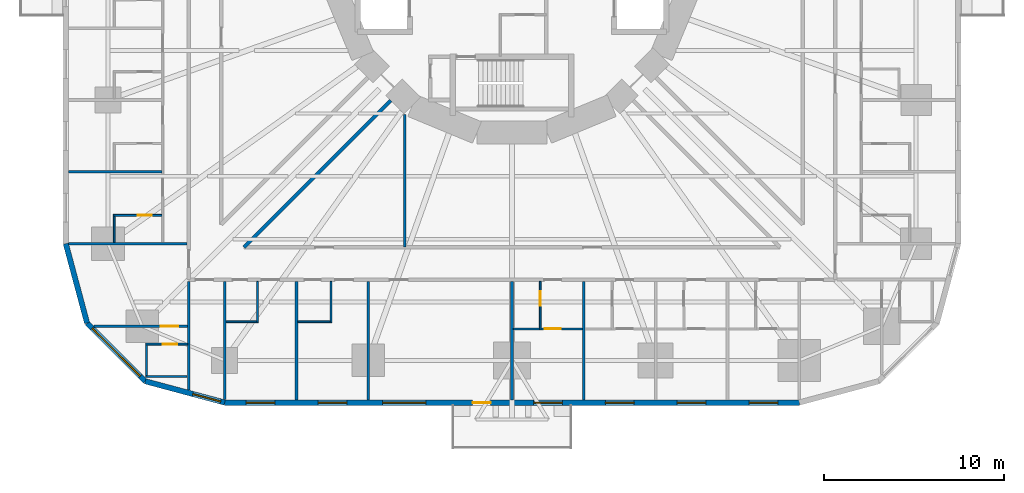
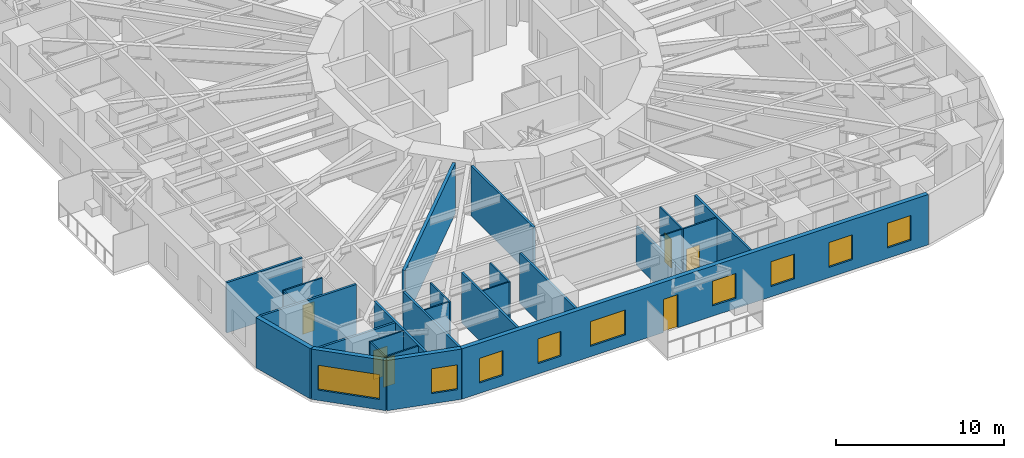
# One storey, part 4 of 14: 27 walls, 9 windows, 6 doors, 15 openings.
"""IFC4 building model written with IfcOpenShell, lengths in metres."""

from ifc_helpers import new_model, si_unit, direction, frame, frame_2d, origin, place, context, subcontext, project, spatial, rectangle, extrude, material, layer, layer_set, type_object, element, fill, save


model = new_model("IFC4")

# Units and contexts
model_context = context("Model", 3, precision=1e-05, world=origin(), true_north=direction((0.0, 1.0)))
body_context = subcontext(model_context, "Body", "Model", "MODEL_VIEW")
ifc_project = project(units=[si_unit("LENGTHUNIT", "METRE"), si_unit("AREAUNIT", "SQUARE_METRE"), si_unit("VOLUMEUNIT", "CUBIC_METRE"), si_unit("PLANEANGLEUNIT", "RADIAN"), si_unit("MASSUNIT", "GRAM", prefix="KILO")], contexts=[model_context])

# Site, building, storey
site_placement = place(None, origin())
site = spatial("IfcSite", under=ifc_project, at=site_placement, CompositionType="ELEMENT")
building_placement = place(site_placement, origin())
building = spatial("IfcBuilding", under=site, at=building_placement, Name="Nakasero Lantern House", CompositionType="ELEMENT")
storey_placement = place(building_placement, frame((0.0, 0.0, 27.550048828125)))
storey = spatial("IfcBuildingStorey", under=building, at=storey_placement, Name="L06", CompositionType="ELEMENT", Elevation=27.550048828125)

# Wall
ifc_material_1 = material(Name="Blockwork", Category="masonry")
ifc_layer_1 = layer(ifc_material_1, 0.199951171875)
ifc_layer_set_1 = layer_set([ifc_layer_1], Name="Corridor wall 200")
wall_type_1 = type_object("IfcWallType", Name="Corridor wall 200", PredefinedType="PARTITIONING", material=ifc_layer_set_1)
wall_1_placement = place(storey_placement, frame((-6.758544921875, -8.03125, 0.0), z_axis=(0.0, 0.0, 1.0), x_axis=(-0.707106781187, -0.707106781187, 0.0)))
element("IfcWall", 1, at=wall_1_placement, inside=storey, type_object=wall_type_1, Name="Corridor wall L06 PS10a", PredefinedType="PARTITIONING", context=body_context, shape_type="SweptSolid", body=[
    extrude(rectangle(XDim=11.55224609375, YDim=0.199951171875, at=frame_2d((5.776123046875, 0.0))), origin(), (0.0, 0.0, 1.0), 3.64990234375),
])

# Wall, opening, door
ifc_material_2 = material(Name="Blockwork", Category="masonry")
ifc_layer_2 = layer(ifc_material_2, 0.10009765625)
ifc_layer_set_2 = layer_set([ifc_layer_2], Name="En-suite wall 100")
wall_type_2 = type_object("IfcWallType", Name="En-suite wall 100", PredefinedType="PARTITIONING", material=ifc_layer_set_2)
wall_2_placement = place(storey_placement, frame((-19.5, -14.425048828125, 0.0), z_axis=(0.0, 0.0, 1.0), x_axis=(-1.0, 0.0, 0.0)))
wall_2 = element("IfcWall", 2, at=wall_2_placement, inside=storey, type_object=wall_type_2, Name="En-suite wall L06 ES2-08", PredefinedType="PARTITIONING", context=body_context, shape_type="SweptSolid", body=[
    extrude(rectangle(XDim=2.699951171875, YDim=0.10009765625, at=frame_2d((1.35009765625, 0.0))), origin(), (0.0, 0.0, 1.0), 3.64990234375),
])
opening_1_placement = place(wall_2_placement, frame((0.550048828125, 0.0, 0.0)))
opening_1 = element("IfcOpeningElement", 3, at=opening_1_placement, cuts=wall_2, Name="Opening D02", PredefinedType="OPENING", context=body_context, shape_type="SweptSolid", body=[
    extrude(rectangle(XDim=0.800048828125, YDim=2.10009765625, at=frame_2d((0.39990234375, 1.050048828125))), frame((0.0, 0.070068359375, 0.0), z_axis=(0.0, -1.0, 0.0), x_axis=(1.0, 0.0, 0.0)), (0.0, 0.0, 1.0), 0.14013671875),
])
ifc_material_3 = material(Name="Timber C24", Category="wood")
door_type_1 = type_object("IfcDoorType", Name="En-suite door 800", OperationType="SINGLE_SWING_RIGHT", PredefinedType="DOOR", material=ifc_material_3)
door_1_placement = place(opening_1_placement, origin())
door_1 = element("IfcDoor", 4, at=door_1_placement, inside=storey, type_object=door_type_1, Name="Door L06 DE2-08", OperationType="SINGLE_SWING_LEFT", OverallHeight=2.10009765625, OverallWidth=0.800048828125, PredefinedType="DOOR", context=body_context, shape_type="SweptSolid", body=[
    extrude(rectangle(XDim=0.800048828125, YDim=2.10009765625, at=frame_2d((0.39990234375, 1.050048828125))), frame((0.0, 0.02490234375, 0.0), z_axis=(0.0, -1.0, 0.0), x_axis=(1.0, 0.0, 0.0)), (0.0, 0.0, 1.0), 0.050048828125),
])
fill(opening_1, door_1)

# Wall
wall_3_placement = place(storey_placement, frame((-22.14990234375, -14.47509765625, 0.0), z_axis=(0.0, 0.0, 1.0), x_axis=(0.0, -1.0, 0.0)))
element("IfcWall", 5, at=wall_3_placement, inside=storey, type_object=wall_type_2, Name="En-suite wall L06 EE2-08", PredefinedType="PARTITIONING", context=body_context, shape_type="SweptSolid", body=[
    extrude(rectangle(XDim=1.449951171875, YDim=0.10009765625, at=frame_2d((0.72509765625, 0.0))), origin(), (0.0, 0.0, 1.0), 3.64990234375),
])

# Wall, opening, door
wall_4_placement = place(storey_placement, frame((-18.06494140625, -21.59619140625, 0.0), z_axis=(0.0, 0.0, 1.0), x_axis=(-1.0, 0.0, 0.0)))
wall_4 = element("IfcWall", 6, at=wall_4_placement, inside=storey, type_object=wall_type_2, Name="En-suite wall L06 ES2-09", PredefinedType="PARTITIONING", context=body_context, shape_type="SweptSolid", body=[
    extrude(rectangle(XDim=2.3349609375, YDim=0.10009765625, at=frame_2d((1.16748046875, 0.0))), origin(), (0.0, 0.0, 1.0), 3.64990234375),
])
opening_2_placement = place(wall_4_placement, frame((0.5849609375, 0.0, 0.0)))
opening_2 = element("IfcOpeningElement", 7, at=opening_2_placement, cuts=wall_4, Name="Opening D02", PredefinedType="OPENING", context=body_context, shape_type="SweptSolid", body=[
    extrude(rectangle(XDim=0.800048828125, YDim=2.10009765625, at=frame_2d((0.39990234375, 1.050048828125))), frame((0.0, 0.070068359375, 0.0), z_axis=(0.0, -1.0, 0.0), x_axis=(1.0, 0.0, 0.0)), (0.0, 0.0, 1.0), 0.14013671875),
])
door_2_placement = place(opening_2_placement, origin())
door_2 = element("IfcDoor", 8, at=door_2_placement, inside=storey, type_object=door_type_1, Name="Door L06 DE2-09", OperationType="SINGLE_SWING_LEFT", OverallHeight=2.10009765625, OverallWidth=0.800048828125, PredefinedType="DOOR", context=body_context, shape_type="SweptSolid", body=[
    extrude(rectangle(XDim=0.800048828125, YDim=2.10009765625, at=frame_2d((0.39990234375, 1.050048828125))), frame((0.0, 0.02490234375, 0.0), z_axis=(0.0, -1.0, 0.0), x_axis=(1.0, 0.0, 0.0)), (0.0, 0.0, 1.0), 0.050048828125),
])
fill(opening_2, door_2)

# Walls
wall_5_placement = place(storey_placement, frame((-20.35009765625, -21.646240234375, 0.0), z_axis=(0.0, 0.0, 1.0), x_axis=(0.0, -1.0, 0.0)))
element("IfcWall", 9, at=wall_5_placement, inside=storey, type_object=wall_type_2, Name="En-suite wall L06 EE2-09", PredefinedType="PARTITIONING", context=body_context, shape_type="SweptSolid", body=[
    extrude(rectangle(XDim=1.699951171875, YDim=0.10009765625, at=frame_2d((0.85009765625, 0.0))), origin(), (0.0, 0.0, 1.0), 3.64990234375),
])
for number, where, z_axis, x_axis, name in (
    (10, (-18.10009765625, -23.396240234375, 0.0), (0.0, 0.0, 1.0), (-1.0, 0.0, 0.0), "En-suite wall L06 EV2-09"),
    (11, (-14.175048828125, -18.10009765625, 0.0), (0.0, 0.0, 1.0), (0.0, -1.0, 0.0), "En-suite wall L06 ES3-01"),
):
    element("IfcWall", number, at=place(storey_placement, frame(where, z_axis=z_axis, x_axis=x_axis)), inside=storey, type_object=wall_type_2, Name=name, PredefinedType="PARTITIONING", context=body_context, shape_type="SweptSolid", body=[
        extrude(rectangle(XDim=2.2998046875, YDim=0.10009765625, at=frame_2d((1.14990234375, 0.0))), origin(), (0.0, 0.0, 1.0), 3.64990234375),
    ])
wall_6_placement = place(storey_placement, frame((-15.925048828125, -20.35009765625, 0.0), z_axis=(0.0, 0.0, 1.0), x_axis=(1.0, 0.0, 0.0)))
element("IfcWall", 12, at=wall_6_placement, inside=storey, type_object=wall_type_2, Name="En-suite wall L06 EE3-01", PredefinedType="PARTITIONING", context=body_context, shape_type="SweptSolid", body=[
    extrude(rectangle(XDim=1.699951171875, YDim=0.10009765625, at=frame_2d((0.85009765625, 0.0))), origin(), (0.0, 0.0, 1.0), 3.64990234375),
])
wall_7_placement = place(storey_placement, frame((-10.074951171875, -18.10009765625, 0.0), z_axis=(0.0, 0.0, 1.0), x_axis=(0.0, -1.0, 0.0)))
element("IfcWall", 13, at=wall_7_placement, inside=storey, type_object=wall_type_2, Name="En-suite wall L06 ES3-02", PredefinedType="PARTITIONING", context=body_context, shape_type="SweptSolid", body=[
    extrude(rectangle(XDim=2.2998046875, YDim=0.10009765625, at=frame_2d((1.14990234375, 0.0))), origin(), (0.0, 0.0, 1.0), 3.64990234375),
])
wall_8_placement = place(storey_placement, frame((-11.925048828125, -20.35009765625, 0.0), z_axis=(0.0, 0.0, 1.0), x_axis=(1.0, 0.0, 0.0)))
element("IfcWall", 14, at=wall_8_placement, inside=storey, type_object=wall_type_2, Name="En-suite wall L06 EE3-02", PredefinedType="PARTITIONING", context=body_context, shape_type="SweptSolid", body=[
    extrude(rectangle(XDim=1.800048828125, YDim=0.10009765625, at=frame_2d((0.89990234375, 0.0))), origin(), (0.0, 0.0, 1.0), 3.64990234375),
])

# Wall, opening, door
wall_9_placement = place(storey_placement, frame((1.574951171875, -18.10009765625, 0.0), z_axis=(0.0, 0.0, 1.0), x_axis=(0.0, -1.0, 0.0)))
wall_9 = element("IfcWall", 15, at=wall_9_placement, inside=storey, type_object=wall_type_2, Name="En-suite wall L06 ES3-05", PredefinedType="PARTITIONING", context=body_context, shape_type="SweptSolid", body=[
    extrude(rectangle(XDim=2.699951171875, YDim=0.10009765625, at=frame_2d((1.35009765625, 0.0))), origin(), (0.0, 0.0, 1.0), 3.64990234375),
])
opening_3_placement = place(wall_9_placement, frame((0.550048828125, 0.0, 0.0)))
opening_3 = element("IfcOpeningElement", 16, at=opening_3_placement, cuts=wall_9, Name="Opening D02", PredefinedType="OPENING", context=body_context, shape_type="SweptSolid", body=[
    extrude(rectangle(XDim=0.800048828125, YDim=2.10009765625, at=frame_2d((0.39990234375, 1.050048828125))), frame((0.0, 0.070068359375, 0.0), z_axis=(0.0, -1.0, 0.0), x_axis=(1.0, 0.0, 0.0)), (0.0, 0.0, 1.0), 0.14013671875),
])
door_3_placement = place(opening_3_placement, origin())
door_3 = element("IfcDoor", 17, at=door_3_placement, inside=storey, type_object=door_type_1, Name="Door L06 DE3-05", OperationType="SINGLE_SWING_LEFT", OverallHeight=2.10009765625, OverallWidth=0.800048828125, PredefinedType="DOOR", context=body_context, shape_type="SweptSolid", body=[
    extrude(rectangle(XDim=0.800048828125, YDim=2.10009765625, at=frame_2d((0.39990234375, 1.050048828125))), frame((0.0, 0.02490234375, 0.0), z_axis=(0.0, -1.0, 0.0), x_axis=(1.0, 0.0, 0.0)), (0.0, 0.0, 1.0), 0.050048828125),
])
fill(opening_3, door_3)

# Wall
wall_10_placement = place(storey_placement, frame((0.074951171875, -20.75, 0.0), z_axis=(0.0, 0.0, 1.0), x_axis=(1.0, 0.0, 0.0)))
element("IfcWall", 18, at=wall_10_placement, inside=storey, type_object=wall_type_2, Name="En-suite wall L06 EE3-05", PredefinedType="PARTITIONING", context=body_context, shape_type="SweptSolid", body=[
    extrude(rectangle(XDim=1.449951171875, YDim=0.10009765625, at=frame_2d((0.72509765625, 0.0))), origin(), (0.0, 0.0, 1.0), 3.64990234375),
])

# Wall, opening, door
wall_11_placement = place(storey_placement, frame((1.625, -20.75, 0.0), z_axis=(0.0, 0.0, 1.0), x_axis=(1.0, 0.0, 0.0)))
wall_11 = element("IfcWall", 19, at=wall_11_placement, inside=storey, type_object=wall_type_2, Name="En-suite wall L06 EL3-05", PredefinedType="PARTITIONING", context=body_context, shape_type="SweptSolid", body=[
    extrude(rectangle(XDim=2.300048828125, YDim=0.10009765625, at=frame_2d((1.14990234375, 0.0))), origin(), (0.0, 0.0, 1.0), 3.64990234375),
])
opening_4_placement = place(wall_11_placement, frame((0.199951171875, 0.0, 0.0)))
opening_4 = element("IfcOpeningElement", 20, at=opening_4_placement, cuts=wall_11, Name="Opening D17", PredefinedType="OPENING", context=body_context, shape_type="SweptSolid", body=[
    extrude(rectangle(XDim=0.89990234375, YDim=2.10009765625, at=frame_2d((0.449951171875, 1.050048828125))), frame((0.0, 0.070068359375, 0.0), z_axis=(0.0, -1.0, 0.0), x_axis=(1.0, 0.0, 0.0)), (0.0, 0.0, 1.0), 0.14013671875),
])
ifc_material_4 = material(Name="Timber C24", Category="wood")
door_type_2 = type_object("IfcDoorType", Name="Bedroom door FD30S 900", OperationType="SINGLE_SWING_LEFT", PredefinedType="DOOR", material=ifc_material_4)
door_4_placement = place(opening_4_placement, origin())
door_4 = element("IfcDoor", 21, at=door_4_placement, inside=storey, type_object=door_type_2, Name="Door L06 DL3-05", OperationType="SINGLE_SWING_LEFT", OverallHeight=2.10009765625, OverallWidth=0.89990234375, PredefinedType="DOOR", context=body_context, shape_type="SweptSolid", body=[
    extrude(rectangle(XDim=0.89990234375, YDim=2.10009765625, at=frame_2d((0.449951171875, 1.050048828125))), frame((0.0, 0.02490234375, 0.0), z_axis=(0.0, -1.0, 0.0), x_axis=(1.0, 0.0, 0.0)), (0.0, 0.0, 1.0), 0.050048828125),
])
fill(opening_4, door_4)

# Wall
ifc_material_5 = material(Name="Aluminium rainscreen on blockwork", Category="masonry")
ifc_layer_3 = layer(ifc_material_5, 0.300048828125)
ifc_layer_set_3 = layer_set([ifc_layer_3], Name="Facade wall 300")
wall_type_3 = type_object("IfcWallType", Name="Facade wall 300", PredefinedType="SOLIDWALL", material=ifc_layer_set_3)
wall_12_placement = place(storey_placement, frame((-24.85009765625, -16.0, 0.0), z_axis=(0.0, 0.0, 1.0), x_axis=(0.258839972501, -0.965920218567, 0.0)))
element("IfcWall", 22, at=wall_12_placement, inside=storey, type_object=wall_type_3, Name="Facade wall L06 FW2C1", PredefinedType="SOLIDWALL", context=body_context, shape_type="SweptSolid", body=[
    extrude(rectangle(XDim=4.5810546875, YDim=0.300048828125, at=frame_2d((2.29052734375, 0.0))), origin(), (0.0, 0.0, 1.0), 3.64990234375),
])

# Wall, opening, window
wall_13_placement = place(storey_placement, frame((-23.664306640625, -20.425048828125, 0.0), z_axis=(0.0, 0.0, 1.0), x_axis=(0.707106781187, -0.707106781187, 0.0)))
wall_13 = element("IfcWall", 23, at=wall_13_placement, inside=storey, type_object=wall_type_3, Name="Facade wall L06 FW2C2", PredefinedType="SOLIDWALL", context=body_context, shape_type="SweptSolid", body=[
    extrude(rectangle(XDim=4.5810546875, YDim=0.300048828125, at=frame_2d((2.29052734375, 0.0))), origin(), (0.0, 0.0, 1.0), 3.64990234375),
])
opening_5_placement = place(wall_13_placement, frame((0.39990234375, 0.0, 0.75)))
opening_5 = element("IfcOpeningElement", 24, at=opening_5_placement, cuts=wall_13, Name="Opening W237", PredefinedType="OPENING", context=body_context, shape_type="SweptSolid", body=[
    extrude(rectangle(XDim=3.781005859375, YDim=1.800048828125, at=frame_2d((1.890625, 0.89990234375))), frame((0.0, 0.169921875, 0.0), z_axis=(0.0, -1.0, 0.0), x_axis=(1.0, 0.0, 0.0)), (0.0, 0.0, 1.0), 0.340087890625),
])
ifc_material_6 = material(Name="Aluminium 6063-T6 and glass", Category="aluminium")
window_type_1 = type_object("IfcWindowType", Name="Corner window 3781x1800", PartitioningType="SINGLE_PANEL", PredefinedType="WINDOW", material=ifc_material_6)
window_1_placement = place(opening_5_placement, origin())
window_1 = element("IfcWindow", 25, at=window_1_placement, inside=storey, type_object=window_type_1, Name="Window L06 WC2", OverallHeight=1.800048828125, OverallWidth=3.781005859375, PartitioningType="SINGLE_PANEL", PredefinedType="WINDOW", context=body_context, shape_type="SweptSolid", body=[
    extrude(rectangle(XDim=3.781005859375, YDim=1.800048828125, at=frame_2d((1.890625, 0.89990234375))), frame((0.0, 0.030029296875, 0.0), z_axis=(0.0, -1.0, 0.0), x_axis=(1.0, 0.0, 0.0)), (0.0, 0.0, 1.0), 0.06005859375),
])
fill(opening_5, window_1)

wall_14_placement = place(storey_placement, frame((-20.425048828125, -23.664306640625, 0.0), z_axis=(0.0, 0.0, 1.0), x_axis=(0.965920218567, -0.258839972501, 0.0)))
wall_14 = element("IfcWall", 26, at=wall_14_placement, inside=storey, type_object=wall_type_3, Name="Facade wall L06 FW2C3", PredefinedType="SOLIDWALL", context=body_context, shape_type="SweptSolid", body=[
    extrude(rectangle(XDim=4.5810546875, YDim=0.300048828125, at=frame_2d((2.29052734375, 0.0))), origin(), (0.0, 0.0, 1.0), 3.64990234375),
])
opening_6_placement = place(wall_14_placement, frame((2.74609375, 0.0, 0.75)))
opening_6 = element("IfcOpeningElement", 27, at=opening_6_placement, cuts=wall_14, Name="Opening W01", PredefinedType="OPENING", context=body_context, shape_type="SweptSolid", body=[
    extrude(rectangle(XDim=1.60009765625, YDim=1.800048828125, at=frame_2d((0.800048828125, 0.89990234375))), frame((0.0, 0.169921875, 0.0), z_axis=(0.0, -1.0, 0.0), x_axis=(1.0, 0.0, 0.0)), (0.0, 0.0, 1.0), 0.340087890625),
])
ifc_material_7 = material(Name="Aluminium 6063-T6 and glass", Category="aluminium")
window_type_2 = type_object("IfcWindowType", Name="Bedroom window 1600x1800", PartitioningType="SINGLE_PANEL", PredefinedType="WINDOW", material=ifc_material_7)
window_2_placement = place(opening_6_placement, origin())
window_2 = element("IfcWindow", 28, at=window_2_placement, inside=storey, type_object=window_type_2, Name="Window L06 WN3-00", OverallHeight=1.800048828125, OverallWidth=1.60009765625, PartitioningType="SINGLE_PANEL", PredefinedType="WINDOW", context=body_context, shape_type="SweptSolid", body=[
    extrude(rectangle(XDim=1.60009765625, YDim=1.800048828125, at=frame_2d((0.800048828125, 0.89990234375))), frame((0.0, 0.030029296875, 0.0), z_axis=(0.0, -1.0, 0.0), x_axis=(1.0, 0.0, 0.0)), (0.0, 0.0, 1.0), 0.06005859375),
])
fill(opening_6, window_2)

# Wall, openings, door, windows
wall_15_placement = place(storey_placement, frame((-16.0, -24.85009765625, 0.0), z_axis=(0.0, 0.0, 1.0), x_axis=(1.0, 0.0, 0.0)))
wall_15 = element("IfcWall", 29, at=wall_15_placement, inside=storey, type_object=wall_type_3, Name="Facade wall L06 FW3S", PredefinedType="SOLIDWALL", context=body_context, shape_type="SweptSolid", body=[
    extrude(rectangle(XDim=32.0, YDim=0.300048828125, at=frame_2d((16.0, 0.0))), origin(), (0.0, 0.0, 1.0), 3.64990234375),
])
opening_7_placement = place(wall_15_placement, frame((1.199951171875, 0.0, 0.75)))
opening_7 = element("IfcOpeningElement", 30, at=opening_7_placement, cuts=wall_15, Name="Opening W01", PredefinedType="OPENING", context=body_context, shape_type="SweptSolid", body=[
    extrude(rectangle(XDim=1.60009765625, YDim=1.800048828125, at=frame_2d((0.800048828125, 0.89990234375))), frame((0.0, 0.169921875, 0.0), z_axis=(0.0, -1.0, 0.0), x_axis=(1.0, 0.0, 0.0)), (0.0, 0.0, 1.0), 0.340087890625),
])
opening_8_placement = place(wall_15_placement, frame((5.199951171875, 0.0, 0.75)))
opening_8 = element("IfcOpeningElement", 31, at=opening_8_placement, cuts=wall_15, Name="Opening W01", PredefinedType="OPENING", context=body_context, shape_type="SweptSolid", body=[
    extrude(rectangle(XDim=1.60009765625, YDim=1.800048828125, at=frame_2d((0.800048828125, 0.89990234375))), frame((0.0, 0.169921875, 0.0), z_axis=(0.0, -1.0, 0.0), x_axis=(1.0, 0.0, 0.0)), (0.0, 0.0, 1.0), 0.340087890625),
])
opening_9_placement = place(wall_15_placement, frame((17.199951171875, 0.0, 0.75)))
opening_9 = element("IfcOpeningElement", 32, at=opening_9_placement, cuts=wall_15, Name="Opening W01", PredefinedType="OPENING", context=body_context, shape_type="SweptSolid", body=[
    extrude(rectangle(XDim=1.60009765625, YDim=1.800048828125, at=frame_2d((0.800048828125, 0.89990234375))), frame((0.0, 0.169921875, 0.0), z_axis=(0.0, -1.0, 0.0), x_axis=(1.0, 0.0, 0.0)), (0.0, 0.0, 1.0), 0.340087890625),
])
opening_10_placement = place(wall_15_placement, frame((21.199951171875, 0.0, 0.75)))
opening_10 = element("IfcOpeningElement", 33, at=opening_10_placement, cuts=wall_15, Name="Opening W01", PredefinedType="OPENING", context=body_context, shape_type="SweptSolid", body=[
    extrude(rectangle(XDim=1.60009765625, YDim=1.800048828125, at=frame_2d((0.800048828125, 0.89990234375))), frame((0.0, 0.169921875, 0.0), z_axis=(0.0, -1.0, 0.0), x_axis=(1.0, 0.0, 0.0)), (0.0, 0.0, 1.0), 0.340087890625),
])
opening_11_placement = place(wall_15_placement, frame((25.199951171875, 0.0, 0.75)))
opening_11 = element("IfcOpeningElement", 34, at=opening_11_placement, cuts=wall_15, Name="Opening W01", PredefinedType="OPENING", context=body_context, shape_type="SweptSolid", body=[
    extrude(rectangle(XDim=1.60009765625, YDim=1.800048828125, at=frame_2d((0.800048828125, 0.89990234375))), frame((0.0, 0.169921875, 0.0), z_axis=(0.0, -1.0, 0.0), x_axis=(1.0, 0.0, 0.0)), (0.0, 0.0, 1.0), 0.340087890625),
])
opening_12_placement = place(wall_15_placement, frame((29.199951171875, 0.0, 0.75)))
opening_12 = element("IfcOpeningElement", 35, at=opening_12_placement, cuts=wall_15, Name="Opening W01", PredefinedType="OPENING", context=body_context, shape_type="SweptSolid", body=[
    extrude(rectangle(XDim=1.60009765625, YDim=1.800048828125, at=frame_2d((0.800048828125, 0.89990234375))), frame((0.0, 0.169921875, 0.0), z_axis=(0.0, -1.0, 0.0), x_axis=(1.0, 0.0, 0.0)), (0.0, 0.0, 1.0), 0.340087890625),
])
opening_13_placement = place(wall_15_placement, frame((8.800048828125, 0.0, 0.75)))
opening_13 = element("IfcOpeningElement", 36, at=opening_13_placement, cuts=wall_15, Name="Opening W03", PredefinedType="OPENING", context=body_context, shape_type="SweptSolid", body=[
    extrude(rectangle(XDim=2.39990234375, YDim=1.800048828125, at=frame_2d((1.199951171875, 0.89990234375))), frame((0.0, 0.169921875, 0.0), z_axis=(0.0, -1.0, 0.0), x_axis=(1.0, 0.0, 0.0)), (0.0, 0.0, 1.0), 0.340087890625),
])
opening_14_placement = place(wall_15_placement, frame((13.8125, 0.0, 0.0)))
opening_14 = element("IfcOpeningElement", 37, at=opening_14_placement, cuts=wall_15, Name="Opening D04", PredefinedType="OPENING", context=body_context, shape_type="SweptSolid", body=[
    extrude(rectangle(XDim=1.0, YDim=2.39990234375, at=frame_2d((0.5, 1.199951171875))), frame((0.0, 0.169921875, 0.0), z_axis=(0.0, -1.0, 0.0), x_axis=(1.0, 0.0, 0.0)), (0.0, 0.0, 1.0), 0.340087890625),
])
ifc_material_8 = material(Name="Aluminium 6063-T6 and glass", Category="aluminium")
door_type_3 = type_object("IfcDoorType", Name="Balcony door 1000x2400", OperationType="SINGLE_SWING_RIGHT", PredefinedType="DOOR", material=ifc_material_8)
door_5_placement = place(opening_14_placement, origin())
door_5 = element("IfcDoor", 38, at=door_5_placement, inside=storey, type_object=door_type_3, Name="Balcony door L06 DB3", OperationType="SINGLE_SWING_RIGHT", OverallHeight=2.39990234375, OverallWidth=1.0, PredefinedType="DOOR", context=body_context, shape_type="SweptSolid", body=[
    extrude(rectangle(XDim=1.0, YDim=2.39990234375, at=frame_2d((0.5, 1.199951171875))), frame((0.0, 0.02490234375, 0.0), z_axis=(0.0, -1.0, 0.0), x_axis=(1.0, 0.0, 0.0)), (0.0, 0.0, 1.0), 0.050048828125),
])
fill(opening_14, door_5)
window_3_placement = place(opening_7_placement, origin())
window_3 = element("IfcWindow", 39, at=window_3_placement, inside=storey, type_object=window_type_2, Name="Window L06 WN3-01", OverallHeight=1.800048828125, OverallWidth=1.60009765625, PartitioningType="SINGLE_PANEL", PredefinedType="WINDOW", context=body_context, shape_type="SweptSolid", body=[
    extrude(rectangle(XDim=1.60009765625, YDim=1.800048828125, at=frame_2d((0.800048828125, 0.89990234375))), frame((0.0, 0.030029296875, 0.0), z_axis=(0.0, -1.0, 0.0), x_axis=(1.0, 0.0, 0.0)), (0.0, 0.0, 1.0), 0.06005859375),
])
fill(opening_7, window_3)
window_4_placement = place(opening_8_placement, origin())
window_4 = element("IfcWindow", 40, at=window_4_placement, inside=storey, type_object=window_type_2, Name="Window L06 WN3-02", OverallHeight=1.800048828125, OverallWidth=1.60009765625, PartitioningType="SINGLE_PANEL", PredefinedType="WINDOW", context=body_context, shape_type="SweptSolid", body=[
    extrude(rectangle(XDim=1.60009765625, YDim=1.800048828125, at=frame_2d((0.800048828125, 0.89990234375))), frame((0.0, 0.030029296875, 0.0), z_axis=(0.0, -1.0, 0.0), x_axis=(1.0, 0.0, 0.0)), (0.0, 0.0, 1.0), 0.06005859375),
])
fill(opening_8, window_4)
window_5_placement = place(opening_9_placement, origin())
window_5 = element("IfcWindow", 41, at=window_5_placement, inside=storey, type_object=window_type_2, Name="Window L06 WN3-05", OverallHeight=1.800048828125, OverallWidth=1.60009765625, PartitioningType="SINGLE_PANEL", PredefinedType="WINDOW", context=body_context, shape_type="SweptSolid", body=[
    extrude(rectangle(XDim=1.60009765625, YDim=1.800048828125, at=frame_2d((0.800048828125, 0.89990234375))), frame((0.0, 0.030029296875, 0.0), z_axis=(0.0, -1.0, 0.0), x_axis=(1.0, 0.0, 0.0)), (0.0, 0.0, 1.0), 0.06005859375),
])
fill(opening_9, window_5)
window_6_placement = place(opening_10_placement, origin())
window_6 = element("IfcWindow", 42, at=window_6_placement, inside=storey, type_object=window_type_2, Name="Window L06 WN3-06", OverallHeight=1.800048828125, OverallWidth=1.60009765625, PartitioningType="SINGLE_PANEL", PredefinedType="WINDOW", context=body_context, shape_type="SweptSolid", body=[
    extrude(rectangle(XDim=1.60009765625, YDim=1.800048828125, at=frame_2d((0.800048828125, 0.89990234375))), frame((0.0, 0.030029296875, 0.0), z_axis=(0.0, -1.0, 0.0), x_axis=(1.0, 0.0, 0.0)), (0.0, 0.0, 1.0), 0.06005859375),
])
fill(opening_10, window_6)
window_7_placement = place(opening_11_placement, origin())
window_7 = element("IfcWindow", 43, at=window_7_placement, inside=storey, type_object=window_type_2, Name="Window L06 WN3-07", OverallHeight=1.800048828125, OverallWidth=1.60009765625, PartitioningType="SINGLE_PANEL", PredefinedType="WINDOW", context=body_context, shape_type="SweptSolid", body=[
    extrude(rectangle(XDim=1.60009765625, YDim=1.800048828125, at=frame_2d((0.800048828125, 0.89990234375))), frame((0.0, 0.030029296875, 0.0), z_axis=(0.0, -1.0, 0.0), x_axis=(1.0, 0.0, 0.0)), (0.0, 0.0, 1.0), 0.06005859375),
])
fill(opening_11, window_7)
window_8_placement = place(opening_12_placement, origin())
window_8 = element("IfcWindow", 44, at=window_8_placement, inside=storey, type_object=window_type_2, Name="Window L06 WN3-08", OverallHeight=1.800048828125, OverallWidth=1.60009765625, PartitioningType="SINGLE_PANEL", PredefinedType="WINDOW", context=body_context, shape_type="SweptSolid", body=[
    extrude(rectangle(XDim=1.60009765625, YDim=1.800048828125, at=frame_2d((0.800048828125, 0.89990234375))), frame((0.0, 0.030029296875, 0.0), z_axis=(0.0, -1.0, 0.0), x_axis=(1.0, 0.0, 0.0)), (0.0, 0.0, 1.0), 0.06005859375),
])
fill(opening_12, window_8)
ifc_material_9 = material(Name="Aluminium 6063-T6 and glass", Category="aluminium")
window_type_3 = type_object("IfcWindowType", Name="Lounge window 2400x1800", PartitioningType="SINGLE_PANEL", PredefinedType="WINDOW", material=ifc_material_9)
window_9_placement = place(opening_13_placement, origin())
window_9 = element("IfcWindow", 45, at=window_9_placement, inside=storey, type_object=window_type_3, Name="Window L06 WK3", OverallHeight=1.800048828125, OverallWidth=2.39990234375, PartitioningType="SINGLE_PANEL", PredefinedType="WINDOW", context=body_context, shape_type="SweptSolid", body=[
    extrude(rectangle(XDim=2.39990234375, YDim=1.800048828125, at=frame_2d((1.199951171875, 0.89990234375))), frame((0.0, 0.030029296875, 0.0), z_axis=(0.0, -1.0, 0.0), x_axis=(1.0, 0.0, 0.0)), (0.0, 0.0, 1.0), 0.06005859375),
])
fill(opening_13, window_9)

# Walls
ifc_material_10 = material(Name="Blockwork", Category="masonry")
ifc_layer_4 = layer(ifc_material_10, 0.14990234375)
ifc_layer_set_4 = layer_set([ifc_layer_4], Name="Party wall 150")
wall_type_4 = type_object("IfcWallType", Name="Party wall 150", PredefinedType="PARTITIONING", material=ifc_layer_set_4)
wall_16_placement = place(storey_placement, frame((-19.5, -12.0, 0.0), z_axis=(0.0, 0.0, 1.0), x_axis=(-1.0, 0.0, 0.0)))
element("IfcWall", 46, at=wall_16_placement, inside=storey, type_object=wall_type_4, Name="Party wall L06 PW2-08", PredefinedType="PARTITIONING", context=body_context, shape_type="SweptSolid", body=[
    extrude(rectangle(XDim=5.199951171875, YDim=0.14990234375, at=frame_2d((2.60009765625, 0.0))), origin(), (0.0, 0.0, 1.0), 3.64990234375),
])
wall_17_placement = place(storey_placement, frame((-18.10009765625, -16.0, 0.0), z_axis=(0.0, 0.0, 1.0), x_axis=(-1.0, 0.0, 0.0)))
element("IfcWall", 47, at=wall_17_placement, inside=storey, type_object=wall_type_4, Name="Party wall L06 PW2-09", PredefinedType="PARTITIONING", context=body_context, shape_type="SweptSolid", body=[
    extrude(rectangle(XDim=6.58935546875, YDim=0.14990234375, at=frame_2d((3.294677734375, 0.0))), origin(), (0.0, 0.0, 1.0), 3.64990234375),
])

# Wall, opening, door
wall_18_placement = place(storey_placement, frame((-18.06494140625, -20.59619140625, 0.0), z_axis=(0.0, 0.0, 1.0), x_axis=(-1.0, 0.0, 0.0)))
wall_18 = element("IfcWall", 48, at=wall_18_placement, inside=storey, type_object=wall_type_4, Name="Party wall L06 PC2", PredefinedType="PARTITIONING", context=body_context, shape_type="SweptSolid", body=[
    extrude(rectangle(XDim=5.208740234375, YDim=0.14990234375, at=frame_2d((2.6044921875, 0.0))), origin(), (0.0, 0.0, 1.0), 3.64990234375),
])
opening_15_placement = place(wall_18_placement, frame((0.534912109375, 0.0, 0.0)))
opening_15 = element("IfcOpeningElement", 49, at=opening_15_placement, cuts=wall_18, Name="Opening D01", PredefinedType="OPENING", context=body_context, shape_type="SweptSolid", body=[
    extrude(rectangle(XDim=0.949951171875, YDim=2.10009765625, at=frame_2d((0.47509765625, 1.050048828125))), frame((0.0, 0.094970703125, 0.0), z_axis=(0.0, -1.0, 0.0), x_axis=(1.0, 0.0, 0.0)), (0.0, 0.0, 1.0), 0.18994140625),
])
ifc_material_11 = material(Name="Timber C24", Category="wood")
door_type_4 = type_object("IfcDoorType", Name="Bedroom door FD30S 950", OperationType="SINGLE_SWING_LEFT", PredefinedType="DOOR", material=ifc_material_11)
door_6_placement = place(opening_15_placement, origin())
door_6 = element("IfcDoor", 50, at=door_6_placement, inside=storey, type_object=door_type_4, Name="Door L06 DC2", OperationType="SINGLE_SWING_LEFT", OverallHeight=2.10009765625, OverallWidth=0.949951171875, PredefinedType="DOOR", context=body_context, shape_type="SweptSolid", body=[
    extrude(rectangle(XDim=0.949951171875, YDim=2.10009765625, at=frame_2d((0.47509765625, 1.050048828125))), frame((0.0, 0.02490234375, 0.0), z_axis=(0.0, -1.0, 0.0), x_axis=(1.0, 0.0, 0.0)), (0.0, 0.0, 1.0), 0.050048828125),
])
fill(opening_15, door_6)

# Walls
wall_19_placement = place(storey_placement, frame((-18.0, -18.10009765625, 0.0), z_axis=(0.0, 0.0, 1.0), x_axis=(0.0, -1.0, 0.0)))
element("IfcWall", 51, at=wall_19_placement, inside=storey, type_object=wall_type_4, Name="Party wall L06 PW3-00", PredefinedType="PARTITIONING", context=body_context, shape_type="SweptSolid", body=[
    extrude(rectangle(XDim=6.053466796875, YDim=0.14990234375, at=frame_2d((3.02685546875, 0.0))), origin(), (0.0, 0.0, 1.0), 3.64990234375),
])
wall_20_placement = place(storey_placement, frame((-16.0, -18.10009765625, 0.0), z_axis=(0.0, 0.0, 1.0), x_axis=(0.0, -1.0, 0.0)))
element("IfcWall", 52, at=wall_20_placement, inside=storey, type_object=wall_type_4, Name="Party wall L06 PW3-01", PredefinedType="PARTITIONING", context=body_context, shape_type="SweptSolid", body=[
    extrude(rectangle(XDim=6.58935546875, YDim=0.14990234375, at=frame_2d((3.294677734375, 0.0))), origin(), (0.0, 0.0, 1.0), 3.64990234375),
])
for number, where, z_axis, x_axis, name in (
    (53, (-12.0, -18.10009765625, 0.0), (0.0, 0.0, 1.0), (0.0, -1.0, 0.0), "Party wall L06 PW3-02"),
    (54, (-8.0, -18.10009765625, 0.0), (0.0, 0.0, 1.0), (0.0, -1.0, 0.0), "Party wall L06 PW3-03"),
):
    element("IfcWall", number, at=place(storey_placement, frame(where, z_axis=z_axis, x_axis=x_axis)), inside=storey, type_object=wall_type_4, Name=name, PredefinedType="PARTITIONING", context=body_context, shape_type="SweptSolid", body=[
        extrude(rectangle(XDim=6.599853515625, YDim=0.14990234375, at=frame_2d((3.2998046875, 0.0))), origin(), (0.0, 0.0, 1.0), 3.64990234375),
    ])
wall_21_placement = place(storey_placement, frame((0.0, -18.10009765625, 0.0), z_axis=(0.0, 0.0, 1.0), x_axis=(0.0, -1.0, 0.0)))
element("IfcWall", 55, at=wall_21_placement, inside=storey, type_object=wall_type_4, Name="Party wall L06 PW3-05", PredefinedType="PARTITIONING", context=body_context, shape_type="SweptSolid", body=[
    extrude(rectangle(XDim=6.599853515625, YDim=0.14990234375, at=frame_2d((3.2998046875, 0.0))), origin(), (0.0, 0.0, 1.0), 2.809326171875),
])
wall_22_placement = place(storey_placement, frame((4.0, -18.10009765625, 0.0), z_axis=(0.0, 0.0, 1.0), x_axis=(0.0, -1.0, 0.0)))
element("IfcWall", 56, at=wall_22_placement, inside=storey, type_object=wall_type_4, Name="Party wall L06 PW3-06", PredefinedType="PARTITIONING", context=body_context, shape_type="SweptSolid", body=[
    extrude(rectangle(XDim=6.599853515625, YDim=0.14990234375, at=frame_2d((3.2998046875, 0.0))), origin(), (0.0, 0.0, 1.0), 3.64990234375),
])
wall_23_placement = place(storey_placement, frame((-5.970947265625, -8.81884765625, 0.0), z_axis=(0.0, 0.0, 1.0), x_axis=(0.0, -1.0, 0.0)))
element("IfcWall", 57, at=wall_23_placement, inside=storey, type_object=wall_type_4, Name="Party wall L06 IS3", PredefinedType="PARTITIONING", context=body_context, shape_type="SweptSolid", body=[
    extrude(rectangle(XDim=7.381103515625, YDim=0.14990234375, at=frame_2d((3.6904296875, 0.0))), origin(), (0.0, 0.0, 1.0), 3.64990234375),
])

save(model, "model.ifc")
